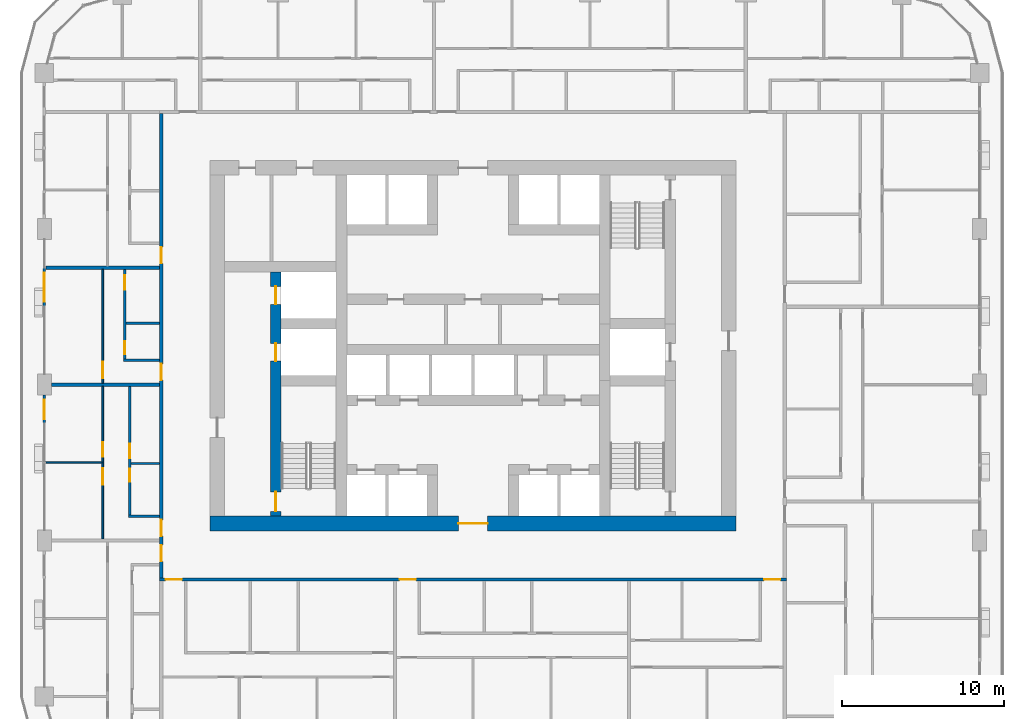
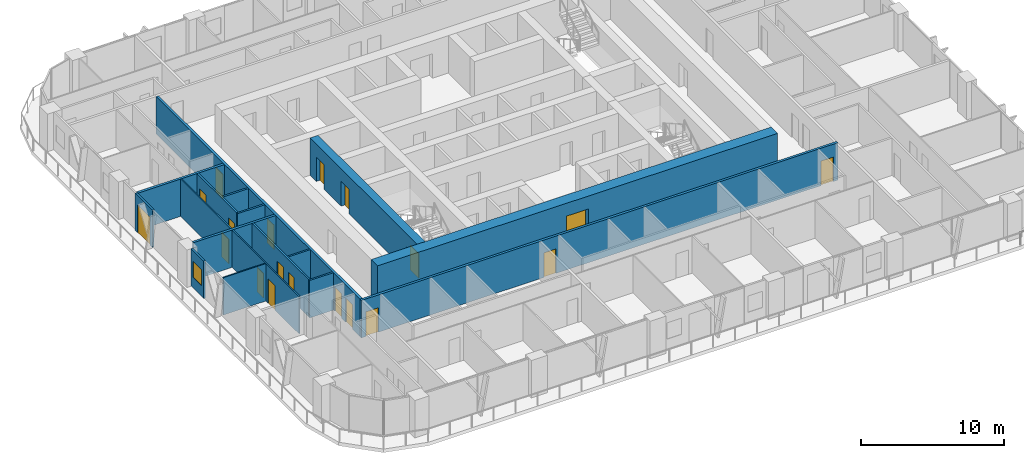
# One storey, part 10 of 22: 19 doors, 17 walls, 1 window, 20 openings.
"""IFC4 building model written with IfcOpenShell, lengths in metres."""

import ifcopenshell
import ifcopenshell.guid

model = None  # the IFC model being written
_history = None  # IfcOwnerHistory: only IFC2X3 demands one
_inside = {}  # id of a spatial element -> (the spatial element, [elements in it])
_under = {}  # id of a project, library or spatial element -> (it, [spatial elements below it])
_declared = {}  # id of a project -> (the project, [libraries it declares])
_typed = {}  # id of a type object -> (the type object, [elements of that type])
_made_of = {}  # id of a material, layer set ... -> (it, [elements and type objects made of it])


def new_model(schema):
    """Start an empty IFC model of exactly this schema.

    Asked for "IFC4X3", IfcOpenShell would pick the latest addendum, in which some entities
    have other attributes; the version numbers below select the first issue.
    IFC2X3 requires an IfcOwnerHistory on every rooted entity: one is made here for all.
    """
    global model, _history
    if schema == "IFC4X3":
        model = ifcopenshell.file(schema_version=(4, 3, 0, 0))
    else:
        model = ifcopenshell.file(schema=schema)
    _inside.clear()
    _under.clear()
    _declared.clear()
    _typed.clear()
    _made_of.clear()
    _history = None
    if model.schema == "IFC2X3":
        org = make("IfcOrganization", Name="unknown")
        user = make(
            "IfcPersonAndOrganization",
            ThePerson=make("IfcPerson", FamilyName="unknown"),
            TheOrganization=org,
        )
        app = make(
            "IfcApplication",
            ApplicationDeveloper=org,
            Version="unknown",
            ApplicationFullName="unknown",
            ApplicationIdentifier="unknown",
        )
        _history = make(
            "IfcOwnerHistory",
            OwningUser=user,
            OwningApplication=app,
            ChangeAction="ADDED",
            CreationDate=0,
        )
    return model


def make(cls, **values):
    """One entity of the class cls with the attributes given. An attribute that is None is left unset."""
    return model.create_entity(
        cls, **{name: value for name, value in values.items() if value is not None}
    )


def rooted(cls, **values):
    """An entity with a GlobalId (a new one), such as an element, a storey or a relation."""
    return make(cls, GlobalId=ifcopenshell.guid.new(), OwnerHistory=_history, **values)


def si_unit(unit_type, name, prefix=None):
    """IfcSIUnit, for example si_unit("LENGTHUNIT", "METRE", prefix="MILLI")."""
    return make("IfcSIUnit", UnitType=unit_type, Prefix=prefix, Name=name)


def assignment(units):
    """IfcUnitAssignment: the units of a project."""
    return None if units is None else make("IfcUnitAssignment", Units=units)


def point(xyz):
    """IfcCartesianPoint."""
    return None if xyz is None else make("IfcCartesianPoint", Coordinates=xyz)


def direction(xyz):
    """IfcDirection."""
    return None if xyz is None else make("IfcDirection", DirectionRatios=xyz)


def frame(location, z_axis=None, x_axis=None):
    """IfcAxis2Placement3D, a coordinate frame: its origin and axes. An axis left out is left unset."""
    return make(
        "IfcAxis2Placement3D",
        Location=point(location),
        Axis=direction(z_axis),
        RefDirection=direction(x_axis),
    )


def frame_2d(location, x_axis=None):
    """IfcAxis2Placement2D, a coordinate frame in the plane: its origin and x axis."""
    return make(
        "IfcAxis2Placement2D", Location=point(location), RefDirection=direction(x_axis)
    )


def origin():
    """The frame at (0, 0, 0) with its axes left unset."""
    return frame((0.0, 0.0, 0.0))


def place(relative_to, where):
    """IfcLocalPlacement: puts the frame where relative to a parent placement (None: the world)."""
    return make(
        "IfcLocalPlacement", PlacementRelTo=relative_to, RelativePlacement=where
    )


def context(
    kind, dimensions, precision=None, world=None, true_north=None, identifier=None
):
    """IfcGeometricRepresentationContext, for example the 3D "Model" context."""
    return make(
        "IfcGeometricRepresentationContext",
        ContextIdentifier=identifier,
        ContextType=kind,
        CoordinateSpaceDimension=dimensions,
        Precision=precision,
        WorldCoordinateSystem=world,
        TrueNorth=true_north,
    )


def subcontext(parent, identifier, kind, view, scale=None):
    """IfcGeometricRepresentationSubContext, for example "Body" below "Model"."""
    return make(
        "IfcGeometricRepresentationSubContext",
        ContextIdentifier=identifier,
        ContextType=kind,
        ParentContext=parent,
        TargetScale=scale,
        TargetView=view,
    )


def project(units=None, contexts=None):
    """IfcProject with its units and contexts."""
    return rooted(
        "IfcProject",
        Name="project",
        RepresentationContexts=contexts,
        UnitsInContext=assignment(units),
    )


def spatial(cls, under=None, at=None, **own):
    """A site, building, storey or space (cls), placed at a placement, below another one or the project."""
    s = rooted(cls, ObjectPlacement=at, **own)
    if under is not None:
        _under.setdefault(under.id(), (under, []))[1].append(s)
    return s


def profile(cls, at=None, kind="AREA", **sizes):
    """A parametric profile (cls). Its sizes go by their IFC names, for example OverallWidth=200.0."""
    return make(cls, ProfileType=kind, Position=at, **sizes)


def rectangle(**sizes):
    """IfcRectangleProfileDef."""
    return profile("IfcRectangleProfileDef", **sizes)


def extrude(swept, where, along, depth):
    """IfcExtrudedAreaSolid: the profile swept, set in the frame where, extruded along a direction by depth."""
    return make(
        "IfcExtrudedAreaSolid",
        SweptArea=swept,
        Position=where,
        ExtrudedDirection=direction(along),
        Depth=depth,
    )


def shape(context_of_items, identifier, shape_type, items):
    """IfcShapeRepresentation: the items that make up one representation, for example the "Body"."""
    return make(
        "IfcShapeRepresentation",
        ContextOfItems=context_of_items,
        RepresentationIdentifier=identifier,
        RepresentationType=shape_type,
        Items=items,
    )


def material(Name=None, Category=None):
    """IfcMaterial."""
    return make("IfcMaterial", Name=Name, Category=Category)


def layer(
    of_material, thickness, ventilated=None, Name=None, Category=None, Priority=None
):
    """IfcMaterialLayer: one layer of a wall or slab, of a material (None: an air gap)."""
    return make(
        "IfcMaterialLayer",
        Material=of_material,
        LayerThickness=thickness,
        IsVentilated=ventilated,
        Name=Name,
        Category=Category,
        Priority=Priority,
    )


def layer_set(layers, Name=None):
    """IfcMaterialLayerSet."""
    return make("IfcMaterialLayerSet", MaterialLayers=layers, LayerSetName=Name)


def made_of(thing, what):
    """Note that an element or type object is made of a material, layer set ...; save() writes the relation."""
    if what is not None:
        _made_of.setdefault(what.id(), (what, []))[1].append(thing)
    return thing


def type_object(cls, material=None, **own):
    """A type object (cls), such as IfcWallType, which elements share."""
    return made_of(rooted(cls, **own), material)


def element(
    cls,
    number,
    at=None,
    inside=None,
    cuts=None,
    type_object=None,
    material=None,
    context=None,
    identifier="Body",
    shape_type=None,
    held_by="IfcProductDefinitionShape",
    body=None,
    shapes=None,
    **own,
):
    """One element of the class cls, such as IfcWall. Its Tag is "e" and its number.

    at: its placement. inside: the storey or other place that contains it. cuts: it is an
    opening in that element (IfcRelVoidsElement). A single representation is given by context,
    identifier, shape_type and body (its items); several are given by shapes. held_by: the class
    of the entity that holds the representations. save() writes the other relations.
    """
    e = rooted(cls, Tag="e%d" % number, ObjectPlacement=at, **own)
    if body is not None:
        shapes = [shape(context, identifier, shape_type, body)]
    if shapes is not None:
        e.Representation = make(held_by, Representations=shapes)
    if inside is not None:
        _inside.setdefault(inside.id(), (inside, []))[1].append(e)
    if cuts is not None:
        rooted(
            "IfcRelVoidsElement", RelatingBuildingElement=cuts, RelatedOpeningElement=e
        )
    if type_object is not None:
        _typed.setdefault(type_object.id(), (type_object, []))[1].append(e)
    return made_of(e, material)


def fill(opening, filler):
    """IfcRelFillsElement: the door or window that sits in an opening."""
    return rooted(
        "IfcRelFillsElement",
        RelatingOpeningElement=opening,
        RelatedBuildingElement=filler,
    )


def aggregate(whole, parts):
    """IfcRelAggregates: a whole, such as a stair, and the parts it consists of."""
    return rooted("IfcRelAggregates", RelatingObject=whole, RelatedObjects=parts)


def save(model, path):
    """Write the relations noted so far, then the file.

    IfcRelAggregates (storeys below a building ...), IfcRelContainedInSpatialStructure (elements
    in a storey), IfcRelDefinesByType, IfcRelAssociatesMaterial and IfcRelDeclares: one each for
    every whole, place, type object, material and project.
    """
    for whole, parts in _under.values():
        aggregate(whole, parts)
    for where, things in _inside.values():
        rooted(
            "IfcRelContainedInSpatialStructure",
            RelatedElements=things,
            RelatingStructure=where,
        )
    for kind, things in _typed.values():
        rooted("IfcRelDefinesByType", RelatedObjects=things, RelatingType=kind)
    for what, things in _made_of.values():
        rooted("IfcRelAssociatesMaterial", RelatedObjects=things, RelatingMaterial=what)
    for by, libraries in _declared.values():
        rooted("IfcRelDeclares", RelatingContext=by, RelatedDefinitions=libraries)
    model.write(path)


model = new_model("IFC4")

# Units and contexts
model_context = context("Model", 3, precision=1e-05, world=origin(), true_north=direction((0.0, 1.0)))
body_context = subcontext(model_context, "Body", "Model", "MODEL_VIEW")
ifc_project = project(units=[si_unit("LENGTHUNIT", "METRE"), si_unit("AREAUNIT", "SQUARE_METRE"), si_unit("VOLUMEUNIT", "CUBIC_METRE"), si_unit("PLANEANGLEUNIT", "RADIAN"), si_unit("MASSUNIT", "GRAM", prefix="KILO")], contexts=[model_context])

# Site, building, storey
site_placement = place(None, origin())
site = spatial("IfcSite", under=ifc_project, at=site_placement, CompositionType="ELEMENT")
building_placement = place(site_placement, origin())
building = spatial("IfcBuilding", under=site, at=building_placement, Name="Madar Terraces", CompositionType="ELEMENT")
storey_placement = place(building_placement, frame((0.0, 0.0, 66.300048828125)))
storey = spatial("IfcBuildingStorey", under=building, at=storey_placement, Name="L16", CompositionType="ELEMENT", Elevation=66.300048828125)

# Wall, openings, doors
ifc_material_1 = material(Name="Concrete C80/95", Category="concrete")
ifc_layer_1 = layer(ifc_material_1, 0.64990234375)
ifc_layer_set_1 = layer_set([ifc_layer_1], Name="Concrete C80/95 (CIW2 RC wall 650)")
wall_type_1 = type_object("IfcWallType", Name="CIW2 RC wall 650", PredefinedType="SHEAR", material=ifc_layer_set_1)
wall_1_placement = place(storey_placement, frame((19.050048828125, 15.89990234375, 0.0), z_axis=(0.0, 0.0, 1.0), x_axis=(0.0, 1.0, 0.0)))
wall_1 = element("IfcWall", 1, at=wall_1_placement, inside=storey, type_object=wall_type_1, Name="CORE SHAFT WALL", PredefinedType="SHEAR", context=body_context, shape_type="SweptSolid", body=[
    extrude(rectangle(XDim=15.025146484375, YDim=0.64990234375, at=frame_2d((7.5126953125, 0.0))), origin(), (0.0, 0.0, 1.0), 3.199951171875),
])
opening_1_placement = place(wall_1_placement, frame((9.550048828125, 0.0, 0.0)))
opening_1 = element("IfcOpeningElement", 2, at=opening_1_placement, cuts=wall_1, Name="Opening LD", PredefinedType="OPENING", context=body_context, shape_type="SweptSolid", body=[
    extrude(rectangle(XDim=1.10009765625, YDim=2.10009765625, at=frame_2d((0.550048828125, 1.050048828125))), frame((0.0, 0.3349609375, 0.0), z_axis=(0.0, -1.0, 0.0), x_axis=(1.0, 0.0, 0.0)), (0.0, 0.0, 1.0), 0.669921875),
])
opening_2_placement = place(wall_1_placement, frame((13.050048828125, 0.0, 0.0)))
opening_2 = element("IfcOpeningElement", 3, at=opening_2_placement, cuts=wall_1, Name="Opening LD", PredefinedType="OPENING", context=body_context, shape_type="SweptSolid", body=[
    extrude(rectangle(XDim=1.10009765625, YDim=2.10009765625, at=frame_2d((0.550048828125, 1.050048828125))), frame((0.0, 0.3349609375, 0.0), z_axis=(0.0, -1.0, 0.0), x_axis=(1.0, 0.0, 0.0)), (0.0, 0.0, 1.0), 0.669921875),
])
opening_3_placement = place(wall_1_placement, frame((0.300048828125, 0.0, 0.0)))
opening_3 = element("IfcOpeningElement", 4, at=opening_3_placement, cuts=wall_1, Name="Opening SD1", PredefinedType="OPENING", context=body_context, shape_type="SweptSolid", body=[
    extrude(rectangle(XDim=1.199951171875, YDim=2.10009765625, at=frame_2d((0.60009765625, 1.050048828125))), frame((0.0, 0.3349609375, 0.0), z_axis=(0.0, -1.0, 0.0), x_axis=(1.0, 0.0, 0.0)), (0.0, 0.0, 1.0), 0.669921875),
])
ifc_material_2 = material(Name="Stainless steel panel", Category="steel")
door_type_1 = type_object("IfcDoorType", Name="Lift landing door 1100 x 2100", OperationType="DOUBLE_DOOR_SLIDING", PredefinedType="DOOR", material=ifc_material_2)
door_1_placement = place(opening_1_placement, origin())
door_1 = element("IfcDoor", 5, at=door_1_placement, inside=storey, type_object=door_type_1, Name="LIFT LANDING DOOR", OperationType="DOUBLE_DOOR_SLIDING", OverallHeight=2.10009765625, OverallWidth=1.10009765625, PredefinedType="DOOR", context=body_context, shape_type="SweptSolid", body=[
    extrude(rectangle(XDim=1.10009765625, YDim=2.10009765625, at=frame_2d((0.550048828125, 1.050048828125))), frame((0.0, 0.02490234375, 0.0), z_axis=(0.0, -1.0, 0.0), x_axis=(1.0, 0.0, 0.0)), (0.0, 0.0, 1.0), 0.050048828125),
])
fill(opening_1, door_1)
door_2_placement = place(opening_2_placement, origin())
door_2 = element("IfcDoor", 6, at=door_2_placement, inside=storey, type_object=door_type_1, Name="LIFT LANDING DOOR", OperationType="DOUBLE_DOOR_SLIDING", OverallHeight=2.10009765625, OverallWidth=1.10009765625, PredefinedType="DOOR", context=body_context, shape_type="SweptSolid", body=[
    extrude(rectangle(XDim=1.10009765625, YDim=2.10009765625, at=frame_2d((0.550048828125, 1.050048828125))), frame((0.0, 0.02490234375, 0.0), z_axis=(0.0, -1.0, 0.0), x_axis=(1.0, 0.0, 0.0)), (0.0, 0.0, 1.0), 0.050048828125),
])
fill(opening_2, door_2)
ifc_material_3 = material(Name="Steel door leaf", Category="steel")
door_type_2 = type_object("IfcDoorType", Name="Stair door 1200 x 2100", OperationType="NOTDEFINED", PredefinedType="DOOR", material=ifc_material_3)
door_3_placement = place(opening_3_placement, frame((1.199951171875, 0.0, 0.0), z_axis=(0.0, 0.0, 1.0), x_axis=(-1.0, 0.0, 0.0)))
door_3 = element("IfcDoor", 7, at=door_3_placement, inside=storey, type_object=door_type_2, Name="STAIR DOOR", OperationType="SINGLE_SWING_RIGHT", OverallHeight=2.10009765625, OverallWidth=1.199951171875, PredefinedType="DOOR", context=body_context, shape_type="SweptSolid", body=[
    extrude(rectangle(XDim=1.199951171875, YDim=2.10009765625, at=frame_2d((0.60009765625, 1.050048828125))), frame((0.0, 0.02490234375, 0.0), z_axis=(0.0, -1.0, 0.0), x_axis=(1.0, 0.0, 0.0)), (0.0, 0.0, 1.0), 0.050048828125),
])
fill(opening_3, door_3)

# Wall, opening, door
ifc_material_4 = material(Name="Concrete C80/95", Category="concrete")
ifc_layer_2 = layer(ifc_material_4, 0.89990234375)
ifc_layer_set_2 = layer_set([ifc_layer_2], Name="Concrete C80/95 (CRW2 RC wall 900)")
wall_type_2 = type_object("IfcWallType", Name="CRW2 RC wall 900", PredefinedType="SHEAR", material=ifc_layer_set_2)
wall_2_placement = place(storey_placement, frame((15.0, 15.449951171875, 0.0), z_axis=(0.0, 0.0, 1.0), x_axis=(1.0, 0.0, 0.0)))
wall_2 = element("IfcWall", 8, at=wall_2_placement, inside=storey, type_object=wall_type_2, Name="CORE OUTER WALL", PredefinedType="SHEAR", context=body_context, shape_type="SweptSolid", body=[
    extrude(rectangle(XDim=32.39990234375, YDim=0.89990234375, at=frame_2d((16.199951171875, 0.0))), origin(), (0.0, 0.0, 1.0), 3.199951171875),
])
opening_4_placement = place(wall_2_placement, frame((15.300048828125, 0.0, 0.0)))
opening_4 = element("IfcOpeningElement", 9, at=opening_4_placement, cuts=wall_2, Name="Opening KD1", PredefinedType="OPENING", context=body_context, shape_type="SweptSolid", body=[
    extrude(rectangle(XDim=1.800048828125, YDim=2.10009765625, at=frame_2d((0.89990234375, 1.050048828125))), frame((0.0, 0.4599609375, 0.0), z_axis=(0.0, -1.0, 0.0), x_axis=(1.0, 0.0, 0.0)), (0.0, 0.0, 1.0), 0.919921875),
])
ifc_material_5 = material(Name="Steel door leaf", Category="steel")
door_type_3 = type_object("IfcDoorType", Name="Lobby door pair 1800 x 2100", OperationType="DOUBLE_DOOR_SINGLE_SWING", PredefinedType="DOOR", material=ifc_material_5)
door_4_placement = place(opening_4_placement, frame((1.800048828125, 0.0, 0.0), z_axis=(0.0, 0.0, 1.0), x_axis=(-1.0, 0.0, 0.0)))
door_4 = element("IfcDoor", 10, at=door_4_placement, inside=storey, type_object=door_type_3, Name="LIFT LOBBY DOOR", OperationType="DOUBLE_DOOR_SINGLE_SWING", OverallHeight=2.10009765625, OverallWidth=1.800048828125, PredefinedType="DOOR", context=body_context, shape_type="SweptSolid", body=[
    extrude(rectangle(XDim=1.800048828125, YDim=2.10009765625, at=frame_2d((0.89990234375, 1.050048828125))), frame((0.0, 0.02490234375, 0.0), z_axis=(0.0, -1.0, 0.0), x_axis=(1.0, 0.0, 0.0)), (0.0, 0.0, 1.0), 0.050048828125),
])
fill(opening_4, door_4)

ifc_material_6 = material(Name="Aluminium composite panel, black, over insulated backing", Category="aluminium")
ifc_layer_3 = layer(ifc_material_6, 0.14990234375)
ifc_layer_set_3 = layer_set([ifc_layer_3], Name="Facade bay panel 150")
wall_type_3 = type_object("IfcWallType", Name="Facade bay panel 150", PredefinedType="SOLIDWALL", material=ifc_layer_set_3)
wall_3_placement = place(storey_placement, frame((4.800048828125, 31.199951171875, 0.0), z_axis=(0.0, 0.0, 1.0), x_axis=(0.0, -1.0, 0.0)))
wall_3 = element("IfcWall", 11, at=wall_3_placement, inside=storey, type_object=wall_type_3, Name="Facade bay panel", PredefinedType="SOLIDWALL", context=body_context, shape_type="SweptSolid", body=[
    extrude(rectangle(XDim=2.39990234375, YDim=0.14990234375, at=frame_2d((1.199951171875, 0.0))), origin(), (0.0, 0.0, 1.0), 3.199951171875),
])
opening_5_placement = place(wall_3_placement, frame((0.300048828125, 0.0, 0.0)))
opening_5 = element("IfcOpeningElement", 12, at=opening_5_placement, cuts=wall_3, Name="Opening ED1", PredefinedType="OPENING", context=body_context, shape_type="SweptSolid", body=[
    extrude(rectangle(XDim=1.800048828125, YDim=2.39990234375, at=frame_2d((0.89990234375, 1.199951171875))), frame((0.0, 0.0849609375, 0.0), z_axis=(0.0, -1.0, 0.0), x_axis=(1.0, 0.0, 0.0)), (0.0, 0.0, 1.0), 0.169921875),
])
ifc_material_7 = material(Name="Glass, clear, with black aluminium frame", Category="aluminium")
door_type_4 = type_object("IfcDoorType", Name="Balcony and terrace sliding door 1800 x 2400", OperationType="SLIDING_TO_LEFT", PredefinedType="DOOR", material=ifc_material_7)
door_5_placement = place(opening_5_placement, origin())
door_5 = element("IfcDoor", 13, at=door_5_placement, inside=storey, type_object=door_type_4, Name="Balcony door", OperationType="SLIDING_TO_LEFT", OverallHeight=2.39990234375, OverallWidth=1.800048828125, PredefinedType="DOOR", context=body_context, shape_type="SweptSolid", body=[
    extrude(rectangle(XDim=1.800048828125, YDim=2.39990234375, at=frame_2d((0.89990234375, 1.199951171875))), frame((0.0, 0.02490234375, 0.0), z_axis=(0.0, -1.0, 0.0), x_axis=(1.0, 0.0, 0.0)), (0.0, 0.0, 1.0), 0.050048828125),
])
fill(opening_5, door_5)

# Wall, opening, window
wall_4_placement = place(storey_placement, frame((4.800048828125, 23.35009765625, 0.0), z_axis=(0.0, 0.0, 1.0), x_axis=(0.0, -1.0, 0.0)))
wall_4 = element("IfcWall", 14, at=wall_4_placement, inside=storey, type_object=wall_type_3, Name="Facade bay panel", PredefinedType="SOLIDWALL", context=body_context, shape_type="SweptSolid", body=[
    extrude(rectangle(XDim=1.75, YDim=0.14990234375, at=frame_2d((0.875, 0.0))), origin(), (0.0, 0.0, 1.0), 3.199951171875),
])
opening_6_placement = place(wall_4_placement, frame((0.27490234375, 0.0, 0.89990234375)))
opening_6 = element("IfcOpeningElement", 15, at=opening_6_placement, cuts=wall_4, Name="Opening W1", PredefinedType="OPENING", context=body_context, shape_type="SweptSolid", body=[
    extrude(rectangle(XDim=1.199951171875, YDim=1.39990234375, at=frame_2d((0.60009765625, 0.699951171875))), frame((0.0, 0.0849609375, 0.0), z_axis=(0.0, -1.0, 0.0), x_axis=(1.0, 0.0, 0.0)), (0.0, 0.0, 1.0), 0.169921875),
])
ifc_material_8 = material(Name="Glass, clear, with black aluminium frame", Category="aluminium")
window_type = type_object("IfcWindowType", Name="Vent window 1200 x 1400", PartitioningType="SINGLE_PANEL", PredefinedType="WINDOW", material=ifc_material_8)
window_placement = place(opening_6_placement, origin())
window = element("IfcWindow", 16, at=window_placement, inside=storey, type_object=window_type, Name="Operable vent window", OverallHeight=1.39990234375, OverallWidth=1.199951171875, PartitioningType="SINGLE_PANEL", PredefinedType="WINDOW", context=body_context, shape_type="SweptSolid", body=[
    extrude(rectangle(XDim=1.199951171875, YDim=1.39990234375, at=frame_2d((0.60009765625, 0.699951171875))), frame((0.0, 0.030029296875, 0.0), z_axis=(0.0, -1.0, 0.0), x_axis=(1.0, 0.0, 0.0)), (0.0, 0.0, 1.0), 0.06005859375),
])
fill(opening_6, window)

# Wall, opening, door
ifc_material_9 = material(Name="Gypsum board on steel studs", Category="steel")
ifc_layer_4 = layer(ifc_material_9, 0.10009765625)
ifc_layer_set_4 = layer_set([ifc_layer_4], Name="Flat partition 100")
wall_type_4 = type_object("IfcWallType", Name="Flat partition 100", PredefinedType="PARTITIONING", material=ifc_layer_set_4)
wall_5_placement = place(storey_placement, frame((8.39990234375, 24.10009765625, 0.0), z_axis=(0.0, 0.0, 1.0), x_axis=(0.0, 1.0, 0.0)))
wall_5 = element("IfcWall", 17, at=wall_5_placement, inside=storey, type_object=wall_type_4, Name="Flat partition 100", PredefinedType="PARTITIONING", context=body_context, shape_type="SweptSolid", body=[
    extrude(rectangle(XDim=7.0, YDim=0.10009765625, at=frame_2d((3.5, 0.0))), origin(), (0.0, 0.0, 1.0), 3.199951171875),
])
opening_7_placement = place(wall_5_placement, frame((0.300048828125, 0.0, 0.0)))
opening_7 = element("IfcOpeningElement", 18, at=opening_7_placement, cuts=wall_5, Name="Opening D3", PredefinedType="OPENING", context=body_context, shape_type="SweptSolid", body=[
    extrude(rectangle(XDim=1.0, YDim=2.10009765625, at=frame_2d((0.5, 1.050048828125))), frame((0.0, 0.06005859375, 0.0), z_axis=(0.0, -1.0, 0.0), x_axis=(1.0, 0.0, 0.0)), (0.0, 0.0, 1.0), 0.1201171875),
])
ifc_material_10 = material(Name="Timber door leaf", Category="wood")
door_type_5 = type_object("IfcDoorType", Name="Flat living room door 1000", OperationType="NOTDEFINED", PredefinedType="DOOR", material=ifc_material_10)
door_6_placement = place(opening_7_placement, origin())
door_6 = element("IfcDoor", 19, at=door_6_placement, inside=storey, type_object=door_type_5, Name="Flat living room door 1000", OperationType="SINGLE_SWING_LEFT", OverallHeight=2.10009765625, OverallWidth=1.0, PredefinedType="DOOR", context=body_context, shape_type="SweptSolid", body=[
    extrude(rectangle(XDim=1.0, YDim=2.10009765625, at=frame_2d((0.5, 1.050048828125))), frame((0.0, 0.02490234375, 0.0), z_axis=(0.0, -1.0, 0.0), x_axis=(1.0, 0.0, 0.0)), (0.0, 0.0, 1.0), 0.050048828125),
])
fill(opening_7, door_6)

# Wall
wall_6_placement = place(storey_placement, frame((8.35009765625, 19.199951171875, 0.0), z_axis=(0.0, 0.0, 1.0), x_axis=(-1.0, 0.0, 0.0)))
element("IfcWall", 20, at=wall_6_placement, inside=storey, type_object=wall_type_4, Name="Flat partition 100", PredefinedType="PARTITIONING", context=body_context, shape_type="SweptSolid", body=[
    extrude(rectangle(XDim=3.4501953125, YDim=0.10009765625, at=frame_2d((1.72509765625, 0.0))), origin(), (0.0, 0.0, 1.0), 3.199951171875),
])

# Wall, openings, doors
wall_7_placement = place(storey_placement, frame((8.39990234375, 14.5, 0.0), z_axis=(0.0, 0.0, 1.0), x_axis=(0.0, 1.0, 0.0)))
wall_7 = element("IfcWall", 21, at=wall_7_placement, inside=storey, type_object=wall_type_4, Name="Flat partition 100", PredefinedType="PARTITIONING", context=body_context, shape_type="SweptSolid", body=[
    extrude(rectangle(XDim=9.39990234375, YDim=0.10009765625, at=frame_2d((4.699951171875, 0.0))), origin(), (0.0, 0.0, 1.0), 3.199951171875),
])
opening_8_placement = place(wall_7_placement, frame((3.35009765625, 0.0, 0.0)))
opening_8 = element("IfcOpeningElement", 22, at=opening_8_placement, cuts=wall_7, Name="Opening D3", PredefinedType="OPENING", context=body_context, shape_type="SweptSolid", body=[
    extrude(rectangle(XDim=1.0, YDim=2.10009765625, at=frame_2d((0.5, 1.050048828125))), frame((0.0, 0.06005859375, 0.0), z_axis=(0.0, -1.0, 0.0), x_axis=(1.0, 0.0, 0.0)), (0.0, 0.0, 1.0), 0.1201171875),
])
opening_9_placement = place(wall_7_placement, frame((5.050048828125, 0.0, 0.0)))
opening_9 = element("IfcOpeningElement", 23, at=opening_9_placement, cuts=wall_7, Name="Opening D2", PredefinedType="OPENING", context=body_context, shape_type="SweptSolid", body=[
    extrude(rectangle(XDim=0.89990234375, YDim=2.10009765625, at=frame_2d((0.449951171875, 1.050048828125))), frame((0.0, 0.06005859375, 0.0), z_axis=(0.0, -1.0, 0.0), x_axis=(1.0, 0.0, 0.0)), (0.0, 0.0, 1.0), 0.1201171875),
])
door_7_placement = place(opening_8_placement, origin())
door_7 = element("IfcDoor", 24, at=door_7_placement, inside=storey, type_object=door_type_5, Name="Flat living room door 1000", OperationType="SINGLE_SWING_RIGHT", OverallHeight=2.10009765625, OverallWidth=1.0, PredefinedType="DOOR", context=body_context, shape_type="SweptSolid", body=[
    extrude(rectangle(XDim=1.0, YDim=2.10009765625, at=frame_2d((0.5, 1.050048828125))), frame((0.0, 0.02490234375, 0.0), z_axis=(0.0, -1.0, 0.0), x_axis=(1.0, 0.0, 0.0)), (0.0, 0.0, 1.0), 0.050048828125),
])
fill(opening_8, door_7)
ifc_material_11 = material(Name="Timber door leaf", Category="wood")
door_type_6 = type_object("IfcDoorType", Name="Flat room door 900", OperationType="NOTDEFINED", PredefinedType="DOOR", material=ifc_material_11)
door_8_placement = place(opening_9_placement, origin())
door_8 = element("IfcDoor", 25, at=door_8_placement, inside=storey, type_object=door_type_6, Name="Flat room door 900", OperationType="SINGLE_SWING_LEFT", OverallHeight=2.10009765625, OverallWidth=0.89990234375, PredefinedType="DOOR", context=body_context, shape_type="SweptSolid", body=[
    extrude(rectangle(XDim=0.89990234375, YDim=2.10009765625, at=frame_2d((0.449951171875, 1.050048828125))), frame((0.0, 0.02490234375, 0.0), z_axis=(0.0, -1.0, 0.0), x_axis=(1.0, 0.0, 0.0)), (0.0, 0.0, 1.0), 0.050048828125),
])
fill(opening_9, door_8)

ifc_material_12 = material(Name="Lightweight blockwork", Category="masonry")
ifc_layer_5 = layer(ifc_material_12, 0.199951171875)
ifc_layer_set_5 = layer_set([ifc_layer_5], Name="Flat party and entrance wall 200")
wall_type_5 = type_object("IfcWallType", Name="Flat party and entrance wall 200", PredefinedType="PARTITIONING", material=ifc_layer_set_5)
wall_8_placement = place(storey_placement, frame((50.5, 12.0, 0.0), z_axis=(0.0, 0.0, 1.0), x_axis=(-1.0, 0.0, 0.0)))
wall_8 = element("IfcWall", 26, at=wall_8_placement, inside=storey, type_object=wall_type_5, Name="Flat party and entrance wall 200", PredefinedType="PARTITIONING", context=body_context, shape_type="SweptSolid", body=[
    extrude(rectangle(XDim=38.60009765625, YDim=0.199951171875, at=frame_2d((19.300048828125, 0.0))), origin(), (0.0, 0.0, 1.0), 3.199951171875),
])
opening_10_placement = place(wall_8_placement, frame((37.22509765625, 0.0, 0.0)))
opening_10 = element("IfcOpeningElement", 27, at=opening_10_placement, cuts=wall_8, Name="Opening D1", PredefinedType="OPENING", context=body_context, shape_type="SweptSolid", body=[
    extrude(rectangle(XDim=1.0, YDim=2.10009765625, at=frame_2d((0.5, 1.050048828125))), frame((0.0, 0.10986328125, 0.0), z_axis=(0.0, -1.0, 0.0), x_axis=(1.0, 0.0, 0.0)), (0.0, 0.0, 1.0), 0.219970703125),
])
opening_11_placement = place(wall_8_placement, frame((22.824951171875, 0.0, 0.0)))
opening_11 = element("IfcOpeningElement", 28, at=opening_11_placement, cuts=wall_8, Name="Opening D1", PredefinedType="OPENING", context=body_context, shape_type="SweptSolid", body=[
    extrude(rectangle(XDim=1.0, YDim=2.10009765625, at=frame_2d((0.5, 1.050048828125))), frame((0.0, 0.10986328125, 0.0), z_axis=(0.0, -1.0, 0.0), x_axis=(1.0, 0.0, 0.0)), (0.0, 0.0, 1.0), 0.219970703125),
])
opening_12_placement = place(wall_8_placement, frame((0.375, 0.0, 0.0)))
opening_12 = element("IfcOpeningElement", 29, at=opening_12_placement, cuts=wall_8, Name="Opening D1", PredefinedType="OPENING", context=body_context, shape_type="SweptSolid", body=[
    extrude(rectangle(XDim=1.0, YDim=2.10009765625, at=frame_2d((0.5, 1.050048828125))), frame((0.0, 0.10986328125, 0.0), z_axis=(0.0, -1.0, 0.0), x_axis=(1.0, 0.0, 0.0)), (0.0, 0.0, 1.0), 0.219970703125),
])
ifc_material_13 = material(Name="Timber fire door leaf", Category="wood")
door_type_7 = type_object("IfcDoorType", Name="Flat entrance door 1000 FD30S", OperationType="NOTDEFINED", PredefinedType="DOOR", material=ifc_material_13)
door_9_placement = place(opening_10_placement, origin())
door_9 = element("IfcDoor", 30, at=door_9_placement, inside=storey, type_object=door_type_7, Name="Flat entrance door 1000 FD30S", OperationType="SINGLE_SWING_RIGHT", OverallHeight=2.10009765625, OverallWidth=1.0, PredefinedType="DOOR", context=body_context, shape_type="SweptSolid", body=[
    extrude(rectangle(XDim=1.0, YDim=2.10009765625, at=frame_2d((0.5, 1.050048828125))), frame((0.0, 0.02490234375, 0.0), z_axis=(0.0, -1.0, 0.0), x_axis=(1.0, 0.0, 0.0)), (0.0, 0.0, 1.0), 0.050048828125),
])
fill(opening_10, door_9)
door_10_placement = place(opening_11_placement, origin())
door_10 = element("IfcDoor", 31, at=door_10_placement, inside=storey, type_object=door_type_7, Name="Flat entrance door 1000 FD30S", OperationType="SINGLE_SWING_RIGHT", OverallHeight=2.10009765625, OverallWidth=1.0, PredefinedType="DOOR", context=body_context, shape_type="SweptSolid", body=[
    extrude(rectangle(XDim=1.0, YDim=2.10009765625, at=frame_2d((0.5, 1.050048828125))), frame((0.0, 0.02490234375, 0.0), z_axis=(0.0, -1.0, 0.0), x_axis=(1.0, 0.0, 0.0)), (0.0, 0.0, 1.0), 0.050048828125),
])
fill(opening_11, door_10)
door_11_placement = place(opening_12_placement, origin())
door_11 = element("IfcDoor", 32, at=door_11_placement, inside=storey, type_object=door_type_7, Name="Flat entrance door 1000 FD30S", OperationType="SINGLE_SWING_LEFT", OverallHeight=2.10009765625, OverallWidth=1.0, PredefinedType="DOOR", context=body_context, shape_type="SweptSolid", body=[
    extrude(rectangle(XDim=1.0, YDim=2.10009765625, at=frame_2d((0.5, 1.050048828125))), frame((0.0, 0.02490234375, 0.0), z_axis=(0.0, -1.0, 0.0), x_axis=(1.0, 0.0, 0.0)), (0.0, 0.0, 1.0), 0.050048828125),
])
fill(opening_12, door_11)

wall_9_placement = place(storey_placement, frame((12.0, 12.10009765625, 0.0), z_axis=(0.0, 0.0, 1.0), x_axis=(0.0, 1.0, 0.0)))
wall_9 = element("IfcWall", 33, at=wall_9_placement, inside=storey, type_object=wall_type_5, Name="Flat party and entrance wall 200", PredefinedType="PARTITIONING", context=body_context, shape_type="SweptSolid", body=[
    extrude(rectangle(XDim=28.599853515625, YDim=0.199951171875, at=frame_2d((14.2998046875, 0.0))), origin(), (0.0, 0.0, 1.0), 3.199951171875),
])
opening_13_placement = place(wall_9_placement, frame((19.375, 0.0, 0.0)))
opening_13 = element("IfcOpeningElement", 34, at=opening_13_placement, cuts=wall_9, Name="Opening D1", PredefinedType="OPENING", context=body_context, shape_type="SweptSolid", body=[
    extrude(rectangle(XDim=1.0, YDim=2.10009765625, at=frame_2d((0.5, 1.050048828125))), frame((0.0, 0.10986328125, 0.0), z_axis=(0.0, -1.0, 0.0), x_axis=(1.0, 0.0, 0.0)), (0.0, 0.0, 1.0), 0.219970703125),
])
opening_14_placement = place(wall_9_placement, frame((12.175048828125, 0.0, 0.0)))
opening_14 = element("IfcOpeningElement", 35, at=opening_14_placement, cuts=wall_9, Name="Opening D1", PredefinedType="OPENING", context=body_context, shape_type="SweptSolid", body=[
    extrude(rectangle(XDim=1.0, YDim=2.10009765625, at=frame_2d((0.5, 1.050048828125))), frame((0.0, 0.10986328125, 0.0), z_axis=(0.0, -1.0, 0.0), x_axis=(1.0, 0.0, 0.0)), (0.0, 0.0, 1.0), 0.219970703125),
])
opening_15_placement = place(wall_9_placement, frame((2.574951171875, 0.0, 0.0)))
opening_15 = element("IfcOpeningElement", 36, at=opening_15_placement, cuts=wall_9, Name="Opening D1", PredefinedType="OPENING", context=body_context, shape_type="SweptSolid", body=[
    extrude(rectangle(XDim=1.0, YDim=2.10009765625, at=frame_2d((0.5, 1.050048828125))), frame((0.0, 0.10986328125, 0.0), z_axis=(0.0, -1.0, 0.0), x_axis=(1.0, 0.0, 0.0)), (0.0, 0.0, 1.0), 0.219970703125),
])
opening_16_placement = place(wall_9_placement, frame((1.02490234375, 0.0, 0.0)))
opening_16 = element("IfcOpeningElement", 37, at=opening_16_placement, cuts=wall_9, Name="Opening D1", PredefinedType="OPENING", context=body_context, shape_type="SweptSolid", body=[
    extrude(rectangle(XDim=1.0, YDim=2.10009765625, at=frame_2d((0.5, 1.050048828125))), frame((0.0, 0.10986328125, 0.0), z_axis=(0.0, -1.0, 0.0), x_axis=(1.0, 0.0, 0.0)), (0.0, 0.0, 1.0), 0.219970703125),
])
door_12_placement = place(opening_13_placement, origin())
door_12 = element("IfcDoor", 38, at=door_12_placement, inside=storey, type_object=door_type_7, Name="Flat entrance door 1000 FD30S", OperationType="SINGLE_SWING_LEFT", OverallHeight=2.10009765625, OverallWidth=1.0, PredefinedType="DOOR", context=body_context, shape_type="SweptSolid", body=[
    extrude(rectangle(XDim=1.0, YDim=2.10009765625, at=frame_2d((0.5, 1.050048828125))), frame((0.0, 0.02490234375, 0.0), z_axis=(0.0, -1.0, 0.0), x_axis=(1.0, 0.0, 0.0)), (0.0, 0.0, 1.0), 0.050048828125),
])
fill(opening_13, door_12)
door_13_placement = place(opening_14_placement, origin())
door_13 = element("IfcDoor", 39, at=door_13_placement, inside=storey, type_object=door_type_7, Name="Flat entrance door 1000 FD30S", OperationType="SINGLE_SWING_LEFT", OverallHeight=2.10009765625, OverallWidth=1.0, PredefinedType="DOOR", context=body_context, shape_type="SweptSolid", body=[
    extrude(rectangle(XDim=1.0, YDim=2.10009765625, at=frame_2d((0.5, 1.050048828125))), frame((0.0, 0.02490234375, 0.0), z_axis=(0.0, -1.0, 0.0), x_axis=(1.0, 0.0, 0.0)), (0.0, 0.0, 1.0), 0.050048828125),
])
fill(opening_14, door_13)
door_14_placement = place(opening_15_placement, origin())
door_14 = element("IfcDoor", 40, at=door_14_placement, inside=storey, type_object=door_type_7, Name="Flat entrance door 1000 FD30S", OperationType="SINGLE_SWING_LEFT", OverallHeight=2.10009765625, OverallWidth=1.0, PredefinedType="DOOR", context=body_context, shape_type="SweptSolid", body=[
    extrude(rectangle(XDim=1.0, YDim=2.10009765625, at=frame_2d((0.5, 1.050048828125))), frame((0.0, 0.02490234375, 0.0), z_axis=(0.0, -1.0, 0.0), x_axis=(1.0, 0.0, 0.0)), (0.0, 0.0, 1.0), 0.050048828125),
])
fill(opening_15, door_14)
door_15_placement = place(opening_16_placement, origin())
door_15 = element("IfcDoor", 41, at=door_15_placement, inside=storey, type_object=door_type_7, Name="Flat entrance door 1000 FD30S", OperationType="SINGLE_SWING_RIGHT", OverallHeight=2.10009765625, OverallWidth=1.0, PredefinedType="DOOR", context=body_context, shape_type="SweptSolid", body=[
    extrude(rectangle(XDim=1.0, YDim=2.10009765625, at=frame_2d((0.5, 1.050048828125))), frame((0.0, 0.02490234375, 0.0), z_axis=(0.0, -1.0, 0.0), x_axis=(1.0, 0.0, 0.0)), (0.0, 0.0, 1.0), 0.050048828125),
])
fill(opening_16, door_15)

# Walls
wall_10_placement = place(storey_placement, frame((4.89990234375, 31.199951171875, 0.0), z_axis=(0.0, 0.0, 1.0), x_axis=(1.0, 0.0, 0.0)))
element("IfcWall", 42, at=wall_10_placement, inside=storey, type_object=wall_type_5, Name="Flat party and entrance wall 200", PredefinedType="PARTITIONING", context=body_context, shape_type="SweptSolid", body=[
    extrude(rectangle(XDim=7.0, YDim=0.199951171875, at=frame_2d((3.5, 0.0))), origin(), (0.0, 0.0, 1.0), 3.199951171875),
])
wall_11_placement = place(storey_placement, frame((5.22509765625, 24.0, 0.0), z_axis=(0.0, 0.0, 1.0), x_axis=(1.0, 0.0, 0.0)))
element("IfcWall", 43, at=wall_11_placement, inside=storey, type_object=wall_type_5, Name="Flat party and entrance wall 200", PredefinedType="PARTITIONING", context=body_context, shape_type="SweptSolid", body=[
    extrude(rectangle(XDim=6.6748046875, YDim=0.199951171875, at=frame_2d((3.33740234375, 0.0))), origin(), (0.0, 0.0, 1.0), 3.199951171875),
])
ifc_material_14 = material(Name="Lightweight blockwork", Category="masonry")
ifc_layer_6 = layer(ifc_material_14, 0.14990234375)
ifc_layer_set_6 = layer_set([ifc_layer_6], Name="Flat wet-room partition 150")
wall_type_6 = type_object("IfcWallType", Name="Flat wet-room partition 150", PredefinedType="PARTITIONING", material=ifc_layer_set_6)
wall_12_placement = place(storey_placement, frame((11.89990234375, 27.784912109375, 0.0), z_axis=(0.0, 0.0, 1.0), x_axis=(-1.0, 0.0, 0.0)))
element("IfcWall", 44, at=wall_12_placement, inside=storey, type_object=wall_type_6, Name="Flat wet-room partition 150", PredefinedType="PARTITIONING", context=body_context, shape_type="SweptSolid", body=[
    extrude(rectangle(XDim=2.074951171875, YDim=0.14990234375, at=frame_2d((1.03759765625, 0.0))), origin(), (0.0, 0.0, 1.0), 3.199951171875),
])
wall_13_placement = place(storey_placement, frame((11.89990234375, 25.5, 0.0), z_axis=(0.0, 0.0, 1.0), x_axis=(-1.0, 0.0, 0.0)))
element("IfcWall", 45, at=wall_13_placement, inside=storey, type_object=wall_type_6, Name="Flat wet-room partition 150", PredefinedType="PARTITIONING", context=body_context, shape_type="SweptSolid", body=[
    extrude(rectangle(XDim=2.224853515625, YDim=0.14990234375, at=frame_2d((1.1123046875, 0.0))), origin(), (0.0, 0.0, 1.0), 3.199951171875),
])

# Wall, openings, doors
wall_14_placement = place(storey_placement, frame((9.75, 31.10009765625, 0.0), z_axis=(0.0, 0.0, 1.0), x_axis=(0.0, -1.0, 0.0)))
wall_14 = element("IfcWall", 46, at=wall_14_placement, inside=storey, type_object=wall_type_6, Name="Flat wet-room partition 150", PredefinedType="PARTITIONING", context=body_context, shape_type="SweptSolid", body=[
    extrude(rectangle(XDim=5.525146484375, YDim=0.14990234375, at=frame_2d((2.7626953125, 0.0))), origin(), (0.0, 0.0, 1.0), 3.199951171875),
])
opening_17_placement = place(wall_14_placement, frame((4.425048828125, 0.0, 0.0)))
opening_17 = element("IfcOpeningElement", 47, at=opening_17_placement, cuts=wall_14, Name="Opening D4", PredefinedType="OPENING", context=body_context, shape_type="SweptSolid", body=[
    extrude(rectangle(XDim=0.800048828125, YDim=2.10009765625, at=frame_2d((0.39990234375, 1.050048828125))), frame((0.0, 0.0849609375, 0.0), z_axis=(0.0, -1.0, 0.0), x_axis=(1.0, 0.0, 0.0)), (0.0, 0.0, 1.0), 0.169921875),
])
opening_18_placement = place(wall_14_placement, frame((0.35009765625, 0.0, 0.0)))
opening_18 = element("IfcOpeningElement", 48, at=opening_18_placement, cuts=wall_14, Name="Opening D2", PredefinedType="OPENING", context=body_context, shape_type="SweptSolid", body=[
    extrude(rectangle(XDim=0.89990234375, YDim=2.10009765625, at=frame_2d((0.449951171875, 1.050048828125))), frame((0.0, 0.0849609375, 0.0), z_axis=(0.0, -1.0, 0.0), x_axis=(1.0, 0.0, 0.0)), (0.0, 0.0, 1.0), 0.169921875),
])
ifc_material_15 = material(Name="Timber door leaf", Category="wood")
door_type_8 = type_object("IfcDoorType", Name="Flat bathroom door 800", OperationType="NOTDEFINED", PredefinedType="DOOR", material=ifc_material_15)
door_16_placement = place(opening_17_placement, origin())
door_16 = element("IfcDoor", 49, at=door_16_placement, inside=storey, type_object=door_type_8, Name="Flat bathroom door 800", OperationType="SINGLE_SWING_RIGHT", OverallHeight=2.10009765625, OverallWidth=0.800048828125, PredefinedType="DOOR", context=body_context, shape_type="SweptSolid", body=[
    extrude(rectangle(XDim=0.800048828125, YDim=2.10009765625, at=frame_2d((0.39990234375, 1.050048828125))), frame((0.0, 0.02490234375, 0.0), z_axis=(0.0, -1.0, 0.0), x_axis=(1.0, 0.0, 0.0)), (0.0, 0.0, 1.0), 0.050048828125),
])
fill(opening_17, door_16)
door_17_placement = place(opening_18_placement, origin())
door_17 = element("IfcDoor", 50, at=door_17_placement, inside=storey, type_object=door_type_6, Name="Flat room door 900", OperationType="SINGLE_SWING_LEFT", OverallHeight=2.10009765625, OverallWidth=0.89990234375, PredefinedType="DOOR", context=body_context, shape_type="SweptSolid", body=[
    extrude(rectangle(XDim=0.89990234375, YDim=2.10009765625, at=frame_2d((0.449951171875, 1.050048828125))), frame((0.0, 0.02490234375, 0.0), z_axis=(0.0, -1.0, 0.0), x_axis=(1.0, 0.0, 0.0)), (0.0, 0.0, 1.0), 0.050048828125),
])
fill(opening_18, door_17)

# Walls
wall_15_placement = place(storey_placement, frame((11.89990234375, 19.14501953125, 0.0), z_axis=(0.0, 0.0, 1.0), x_axis=(-1.0, 0.0, 0.0)))
element("IfcWall", 51, at=wall_15_placement, inside=storey, type_object=wall_type_6, Name="Flat wet-room partition 150", PredefinedType="PARTITIONING", context=body_context, shape_type="SweptSolid", body=[
    extrude(rectangle(XDim=1.77490234375, YDim=0.14990234375, at=frame_2d((0.887451171875, 0.0))), origin(), (0.0, 0.0, 1.0), 3.199951171875),
])
wall_16_placement = place(storey_placement, frame((11.89990234375, 15.89990234375, 0.0), z_axis=(0.0, 0.0, 1.0), x_axis=(-1.0, 0.0, 0.0)))
element("IfcWall", 52, at=wall_16_placement, inside=storey, type_object=wall_type_6, Name="Flat wet-room partition 150", PredefinedType="PARTITIONING", context=body_context, shape_type="SweptSolid", body=[
    extrude(rectangle(XDim=1.9248046875, YDim=0.14990234375, at=frame_2d((0.96240234375, 0.0))), origin(), (0.0, 0.0, 1.0), 3.199951171875),
])

# Wall, openings, doors
wall_17_placement = place(storey_placement, frame((10.050048828125, 23.89990234375, 0.0), z_axis=(0.0, 0.0, 1.0), x_axis=(0.0, -1.0, 0.0)))
wall_17 = element("IfcWall", 53, at=wall_17_placement, inside=storey, type_object=wall_type_6, Name="Flat wet-room partition 150", PredefinedType="PARTITIONING", context=body_context, shape_type="SweptSolid", body=[
    extrude(rectangle(XDim=7.9248046875, YDim=0.14990234375, at=frame_2d((3.96240234375, 0.0))), origin(), (0.0, 0.0, 1.0), 3.199951171875),
])
opening_19_placement = place(wall_17_placement, frame((5.080078125, 0.0, 0.0)))
opening_19 = element("IfcOpeningElement", 54, at=opening_19_placement, cuts=wall_17, Name="Opening D4", PredefinedType="OPENING", context=body_context, shape_type="SweptSolid", body=[
    extrude(rectangle(XDim=0.800048828125, YDim=2.10009765625, at=frame_2d((0.39990234375, 1.050048828125))), frame((0.0, 0.0849609375, 0.0), z_axis=(0.0, -1.0, 0.0), x_axis=(1.0, 0.0, 0.0)), (0.0, 0.0, 1.0), 0.169921875),
])
opening_20_placement = place(wall_17_placement, frame((3.530029296875, 0.0, 0.0)))
opening_20 = element("IfcOpeningElement", 55, at=opening_20_placement, cuts=wall_17, Name="Opening D2", PredefinedType="OPENING", context=body_context, shape_type="SweptSolid", body=[
    extrude(rectangle(XDim=0.89990234375, YDim=2.10009765625, at=frame_2d((0.449951171875, 1.050048828125))), frame((0.0, 0.0849609375, 0.0), z_axis=(0.0, -1.0, 0.0), x_axis=(1.0, 0.0, 0.0)), (0.0, 0.0, 1.0), 0.169921875),
])
door_18_placement = place(opening_19_placement, origin())
door_18 = element("IfcDoor", 56, at=door_18_placement, inside=storey, type_object=door_type_8, Name="Flat bathroom door 800", OperationType="SINGLE_SWING_LEFT", OverallHeight=2.10009765625, OverallWidth=0.800048828125, PredefinedType="DOOR", context=body_context, shape_type="SweptSolid", body=[
    extrude(rectangle(XDim=0.800048828125, YDim=2.10009765625, at=frame_2d((0.39990234375, 1.050048828125))), frame((0.0, 0.02490234375, 0.0), z_axis=(0.0, -1.0, 0.0), x_axis=(1.0, 0.0, 0.0)), (0.0, 0.0, 1.0), 0.050048828125),
])
fill(opening_19, door_18)
door_19_placement = place(opening_20_placement, origin())
door_19 = element("IfcDoor", 57, at=door_19_placement, inside=storey, type_object=door_type_6, Name="Flat room door 900", OperationType="SINGLE_SWING_RIGHT", OverallHeight=2.10009765625, OverallWidth=0.89990234375, PredefinedType="DOOR", context=body_context, shape_type="SweptSolid", body=[
    extrude(rectangle(XDim=0.89990234375, YDim=2.10009765625, at=frame_2d((0.449951171875, 1.050048828125))), frame((0.0, 0.02490234375, 0.0), z_axis=(0.0, -1.0, 0.0), x_axis=(1.0, 0.0, 0.0)), (0.0, 0.0, 1.0), 0.050048828125),
])
fill(opening_20, door_19)

save(model, "model.ifc")
